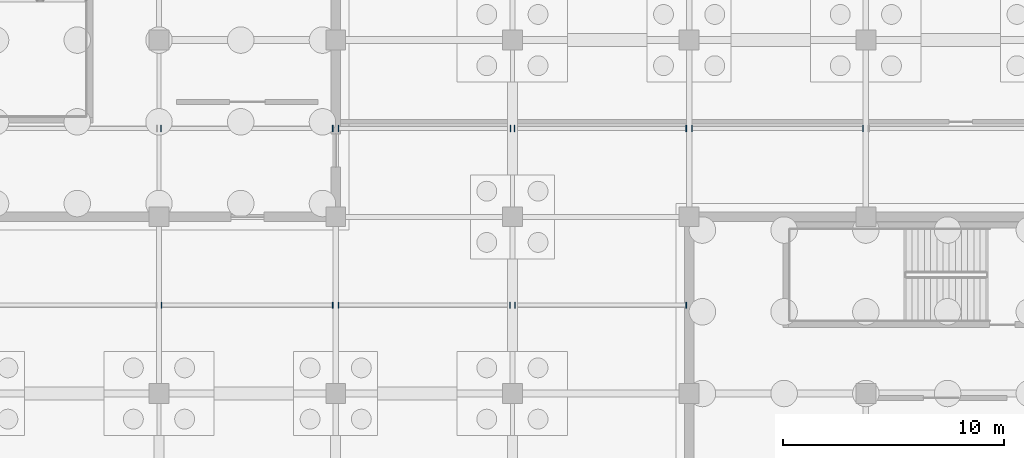
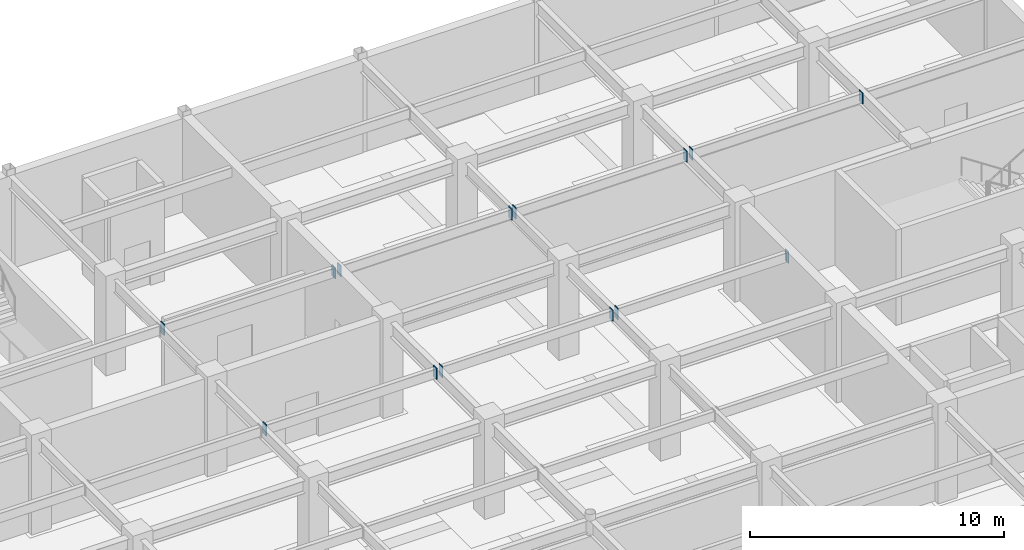
# One storey, part 95 of 105: 14 discrete accessories.
"""IFC4 building model written with IfcOpenShell, lengths in metres."""

from ifc_helpers import new_model, si_unit, direction, frame, origin, origin_2d, place, context, subcontext, project, spatial, rectangle, extrude, material, layer, layer_set, type_object, element, save


model = new_model("IFC4")

# Units and contexts
model_context = context("Model", 3, precision=1e-05, world=origin(), true_north=direction((0.0, 1.0)))
body_context = subcontext(model_context, "Body", "Model", "MODEL_VIEW")
ifc_project = project(units=[si_unit("LENGTHUNIT", "METRE"), si_unit("AREAUNIT", "SQUARE_METRE"), si_unit("VOLUMEUNIT", "CUBIC_METRE"), si_unit("PLANEANGLEUNIT", "RADIAN"), si_unit("MASSUNIT", "GRAM", prefix="KILO")], contexts=[model_context])

# Site, building, storey
site_placement = place(None, origin())
site = spatial("IfcSite", under=ifc_project, at=site_placement, CompositionType="ELEMENT")
building_placement = place(site_placement, origin())
building = spatial("IfcBuilding", under=site, at=building_placement, Name="Solmirada Galleria", CompositionType="ELEMENT")
storey_placement = place(building_placement, frame((0.0, 0.0, -4.800048828125)))
storey = spatial("IfcBuildingStorey", under=building, at=storey_placement, Name="B1", CompositionType="ELEMENT", Elevation=-4.800048828125)

# Discrete accessories
ifc_material = material(Name="Steel S355 / ASTM A572 Grade 50", Category="steel")
ifc_layer = layer(ifc_material, 0.031982421875)
ifc_layer_set = layer_set([ifc_layer], Name="Steel S355 / ASTM A572 Grade 50")
discrete_accessory_type = type_object("IfcDiscreteAccessoryType", Name="ACC-COL-CAP", PredefinedType="BRACKET", material=ifc_layer_set)
for number, where, z_axis, x_axis, name in (
    (1, (136.114013671875, 100.0, 4.00146484375), (0.0, 0.0, 1.0), (1.0, 0.0, 0.0), "Hollow joist end plate L00-18-13-L"),
    (2, (143.8720703125, 100.0, 4.00146484375), (0.0, 0.0, 1.0), (1.0, 0.0, 0.0), "Hollow joist end plate L00-18-13-R"),
    (3, (136.089111328125, 108.0, 4.00146484375), (0.0, 0.0, 1.0), (1.0, 0.0, 0.0), "Hollow joist end plate L00-18-14-L"),
    (4, (143.8720703125, 108.0, 4.00146484375), (0.0, 0.0, 1.0), (1.0, 0.0, 0.0), "Hollow joist end plate L00-18-14-R"),
    (5, (144.1279296875, 100.0, 4.00146484375), (0.0, 0.0, 1.0), (1.0, 0.0, 0.0), "Hollow joist end plate L00-19-13-L"),
    (6, (151.885986328125, 100.0, 4.00146484375), (0.0, 0.0, 1.0), (1.0, 0.0, 0.0), "Hollow joist end plate L00-19-13-R"),
    (7, (144.1279296875, 108.0, 4.00146484375), (0.0, 0.0, 1.0), (1.0, 0.0, 0.0), "Hollow joist end plate L00-19-14-L"),
    (8, (151.910888671875, 108.0, 4.00146484375), (0.0, 0.0, 1.0), (1.0, 0.0, 0.0), "Hollow joist end plate L00-19-14-R"),
    (9, (152.114013671875, 100.0, 4.00146484375), (0.0, 0.0, 1.0), (1.0, 0.0, 0.0), "Hollow joist end plate L00-20-13-L"),
    (10, (159.873046875, 100.0, 4.00146484375), (0.0, 0.0, 1.0), (1.0, 0.0, 0.0), "Hollow joist end plate L00-20-13-R"),
    (11, (152.089111328125, 108.0, 4.00146484375), (0.0, 0.0, 1.0), (1.0, 0.0, 0.0), "Hollow joist end plate L00-20-14-L"),
    (12, (159.873046875, 108.0, 4.00146484375), (0.0, 0.0, 1.0), (1.0, 0.0, 0.0), "Hollow joist end plate L00-20-14-R"),
    (13, (160.126953125, 108.0, 4.00146484375), (0.0, 0.0, 1.0), (1.0, 0.0, 0.0), "Hollow joist end plate L00-21-14-L"),
    (14, (167.8720703125, 108.0, 4.00146484375), (0.0, 0.0, 1.0), (1.0, 0.0, 0.0), "Hollow joist end plate L00-21-14-R"),
):
    element("IfcDiscreteAccessory", number, at=place(storey_placement, frame(where, z_axis=z_axis, x_axis=x_axis)), inside=storey, type_object=discrete_accessory_type, Name=name, PredefinedType="BRACKET", context=body_context, shape_type="SweptSolid", body=[
        extrude(rectangle(XDim=0.035888671875, YDim=0.280029296875, at=origin_2d()), origin(), (0.0, 0.0, 1.0), 0.5400390625),
    ])

save(model, "model.ifc")
